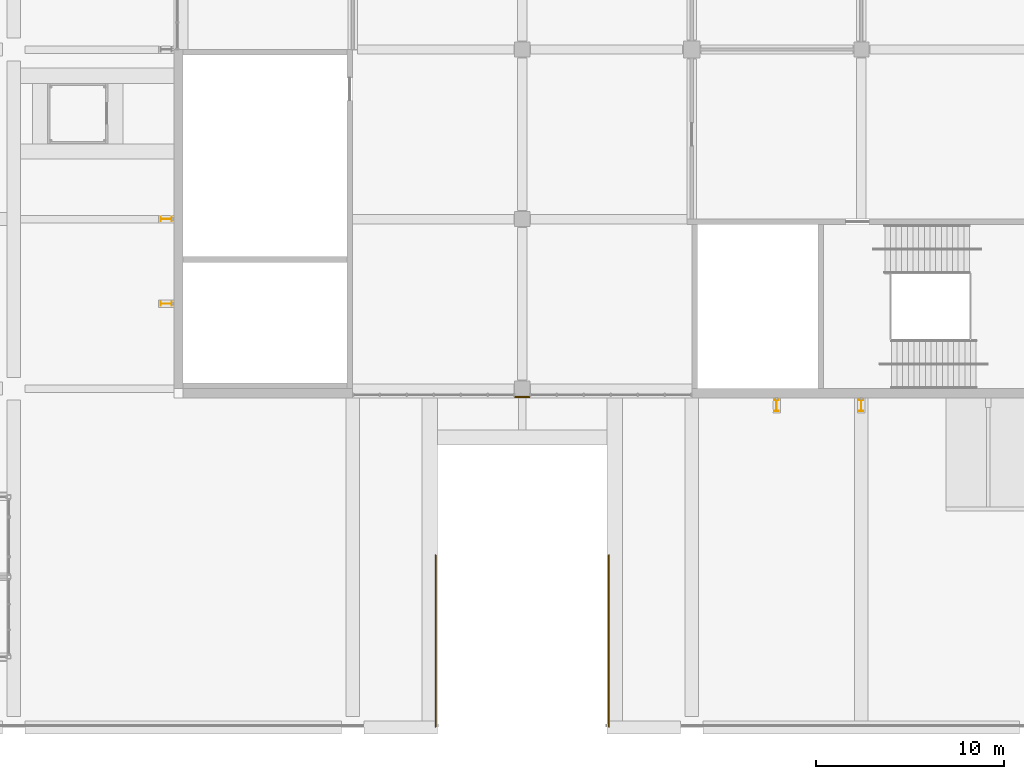
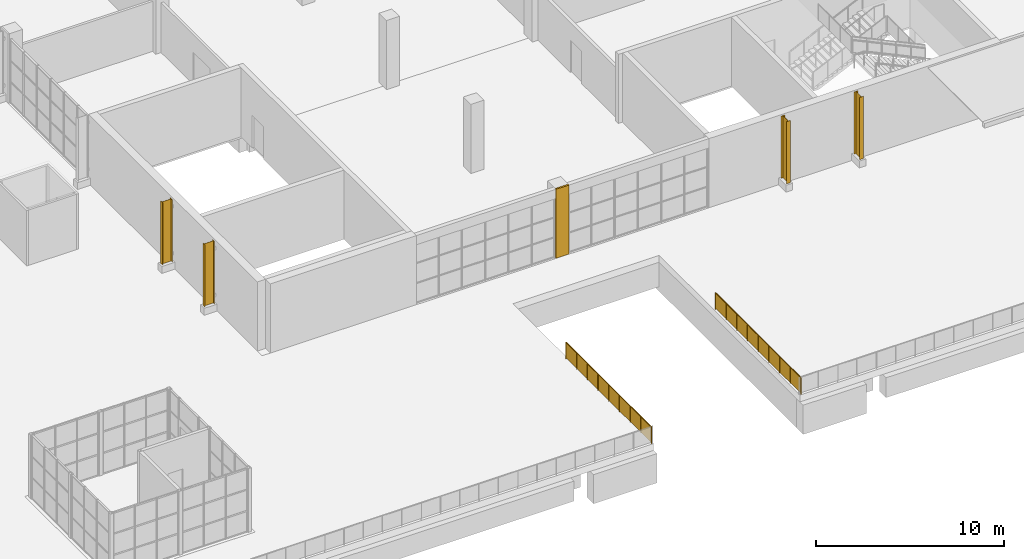
# One storey, part 139 of 168: 4 shading devices, 2 railings, 1 covering.
"""IFC4 building model written with IfcOpenShell, lengths in metres."""

from ifc_helpers import new_model, si_unit, direction, frame, origin, origin_2d, place, context, subcontext, project, spatial, polyline, circle, i_section, outline, extrude, material, layer, layer_set, material_profile, profile_set, type_object, element, save


model = new_model("IFC4")

# Units and contexts
model_context = context("Model", 3, precision=1e-05, world=origin(), true_north=direction((0.0, 1.0)))
body_context = subcontext(model_context, "Body", "Model", "MODEL_VIEW")
ifc_project = project(units=[si_unit("LENGTHUNIT", "METRE"), si_unit("AREAUNIT", "SQUARE_METRE"), si_unit("VOLUMEUNIT", "CUBIC_METRE"), si_unit("PLANEANGLEUNIT", "RADIAN"), si_unit("MASSUNIT", "GRAM", prefix="KILO")], contexts=[model_context])

# Site, building, storey
site_placement = place(None, origin())
site = spatial("IfcSite", under=ifc_project, at=site_placement, CompositionType="ELEMENT")
building_placement = place(site_placement, origin())
building = spatial("IfcBuilding", under=site, at=building_placement, Name="Silverbay Arena", CompositionType="ELEMENT")
storey_placement = place(building_placement, frame((0.0, 0.0, 7.0)))
storey = spatial("IfcBuildingStorey", under=building, at=storey_placement, Name="L01", CompositionType="ELEMENT", Elevation=7.0)

# Covering
ifc_material_1 = material(Name="Aluminium composite cladding", Category="aluminium")
ifc_layer = layer(ifc_material_1, 0.10009765625)
ifc_layer_set = layer_set([ifc_layer], Name="Aluminium composite cladding")
covering_type = type_object("IfcCoveringType", Name="Column cladding 100", PredefinedType="CLADDING", material=ifc_layer_set)
covering_placement = place(storey_placement, origin())
element("IfcCovering", 1, at=covering_placement, inside=storey, type_object=covering_type, Name="South column cladding L01 46", PredefinedType="CLADDING", context=body_context, shape_type="SweptSolid", body=[
    extrude(outline(polyline([(44.60009765625, 17.5), (45.39990234375, 17.5), (45.39990234375, 17.60009765625), (44.60009765625, 17.60009765625), (44.60009765625, 17.5)])), origin(), (0.0, 0.0, 1.0), 4.5),
])

# Railings
ifc_material_2 = material(Name="Stainless steel", Category="steel")
railing_type = type_object("IfcRailingType", Name="Stair guard 1100", PredefinedType="GUARDRAIL", material=ifc_material_2)
railing_1_placement = place(storey_placement, frame((40.39990234375, 0.050048828125, 0.0)))
element("IfcRailing", 2, at=railing_1_placement, inside=storey, type_object=railing_type, Name="Deck stair DS3 well edge guard left", PredefinedType="GUARDRAIL", context=body_context, shape_type="SweptSolid", body=[
    extrude(circle(Radius=0.02392578125, at=origin_2d()), frame((0.0, 0.0, 1.076171875), z_axis=(0.0, 1.0, 0.0), x_axis=(-1.0, 0.0, 0.0)), (0.0, 0.0, 1.0), 9.112060546875),
    extrude(outline(polyline([(-0.008056640625, 0.050048828125), (1.14697265625, 0.050048828125), (1.14697265625, 1.052978515625), (-0.008056640625, 1.052978515625), (-0.008056640625, 0.050048828125)])), frame((-0.0029296875, 0.0, 0.0), z_axis=(1.0, 0.0, 0.0), x_axis=(0.0, 1.0, 0.0)), (0.0, 0.0, 1.0), 0.006103515625),
    extrude(outline(polyline([(-0.008056640625, 0.050048828125), (1.14697265625, 0.050048828125), (1.14697265625, 1.052978515625), (-0.008056640625, 1.052978515625), (-0.008056640625, 0.050048828125)])), frame((-0.0029296875, 1.138916015625, 0.0), z_axis=(1.0, 0.0, 0.0), x_axis=(0.0, 1.0, 0.0)), (0.0, 0.0, 1.0), 0.006103515625),
    extrude(outline(polyline([(-0.008056640625, 0.050048828125), (1.14697265625, 0.050048828125), (1.14697265625, 1.052978515625), (-0.008056640625, 1.052978515625), (-0.008056640625, 0.050048828125)])), frame((-0.0029296875, 2.278076171875, 0.0), z_axis=(1.0, 0.0, 0.0), x_axis=(0.0, 1.0, 0.0)), (0.0, 0.0, 1.0), 0.006103515625),
    extrude(outline(polyline([(-0.008056640625, 0.050048828125), (1.14697265625, 0.050048828125), (1.14697265625, 1.052978515625), (-0.008056640625, 1.052978515625), (-0.008056640625, 0.050048828125)])), frame((-0.0029296875, 3.4169921875, 0.0), z_axis=(1.0, 0.0, 0.0), x_axis=(0.0, 1.0, 0.0)), (0.0, 0.0, 1.0), 0.006103515625),
    extrude(outline(polyline([(-0.008056640625, 0.050048828125), (1.14697265625, 0.050048828125), (1.14697265625, 1.052978515625), (-0.008056640625, 1.052978515625), (-0.008056640625, 0.050048828125)])), frame((-0.0029296875, 4.55615234375, 0.0), z_axis=(1.0, 0.0, 0.0), x_axis=(0.0, 1.0, 0.0)), (0.0, 0.0, 1.0), 0.006103515625),
    extrude(outline(polyline([(-0.008056640625, 0.050048828125), (1.14697265625, 0.050048828125), (1.14697265625, 1.052978515625), (-0.008056640625, 1.052978515625), (-0.008056640625, 0.050048828125)])), frame((-0.0029296875, 5.695068359375, 0.0), z_axis=(1.0, 0.0, 0.0), x_axis=(0.0, 1.0, 0.0)), (0.0, 0.0, 1.0), 0.006103515625),
    extrude(outline(polyline([(-0.008056640625, 0.050048828125), (1.14697265625, 0.050048828125), (1.14697265625, 1.052978515625), (-0.008056640625, 1.052978515625), (-0.008056640625, 0.050048828125)])), frame((-0.0029296875, 6.833984375, 0.0), z_axis=(1.0, 0.0, 0.0), x_axis=(0.0, 1.0, 0.0)), (0.0, 0.0, 1.0), 0.006103515625),
    extrude(outline(polyline([(-0.008056640625, 0.050048828125), (1.14697265625, 0.050048828125), (1.14697265625, 1.052978515625), (-0.008056640625, 1.052978515625), (-0.008056640625, 0.050048828125)])), frame((-0.0029296875, 7.97314453125, 0.0), z_axis=(1.0, 0.0, 0.0), x_axis=(0.0, 1.0, 0.0)), (0.0, 0.0, 1.0), 0.006103515625),
    extrude(circle(Radius=0.02099609375, at=origin_2d()), origin(), (0.0, 0.0, 1.0), 1.052001953125),
    extrude(circle(Radius=0.02099609375, at=origin_2d()), frame((0.0, 1.138916015625, 0.0)), (0.0, 0.0, 1.0), 1.052001953125),
    extrude(circle(Radius=0.02099609375, at=origin_2d()), frame((0.0, 2.278076171875, 0.0)), (0.0, 0.0, 1.0), 1.052001953125),
    extrude(circle(Radius=0.02099609375, at=origin_2d()), frame((0.0, 3.4169921875, 0.0)), (0.0, 0.0, 1.0), 1.052001953125),
    extrude(circle(Radius=0.02099609375, at=origin_2d()), frame((0.0, 4.55615234375, 0.0)), (0.0, 0.0, 1.0), 1.052001953125),
    extrude(circle(Radius=0.02099609375, at=origin_2d()), frame((0.0, 5.695068359375, 0.0)), (0.0, 0.0, 1.0), 1.052001953125),
    extrude(circle(Radius=0.02099609375, at=origin_2d()), frame((0.0, 6.833984375, 0.0)), (0.0, 0.0, 1.0), 1.052001953125),
    extrude(circle(Radius=0.02099609375, at=origin_2d()), frame((0.0, 7.97314453125, 0.0)), (0.0, 0.0, 1.0), 1.052001953125),
    extrude(circle(Radius=0.02099609375, at=origin_2d()), frame((0.0, 9.112060546875, 0.0)), (0.0, 0.0, 1.0), 1.052001953125),
])
railing_2_placement = place(storey_placement, frame((49.60009765625, 0.050048828125, 0.0)))
element("IfcRailing", 3, at=railing_2_placement, inside=storey, type_object=railing_type, Name="Deck stair DS3 well edge guard right", PredefinedType="GUARDRAIL", context=body_context, shape_type="SweptSolid", body=[
    extrude(circle(Radius=0.02392578125, at=origin_2d()), frame((0.0, 0.0, 1.076171875), z_axis=(0.0, 1.0, 0.0), x_axis=(-1.0, 0.0, 0.0)), (0.0, 0.0, 1.0), 9.112060546875),
    extrude(outline(polyline([(-0.008056640625, 0.050048828125), (1.14697265625, 0.050048828125), (1.14697265625, 1.052978515625), (-0.008056640625, 1.052978515625), (-0.008056640625, 0.050048828125)])), frame((-0.0029296875, 0.0, 0.0), z_axis=(1.0, 0.0, 0.0), x_axis=(0.0, 1.0, 0.0)), (0.0, 0.0, 1.0), 0.006103515625),
    extrude(outline(polyline([(-0.008056640625, 0.050048828125), (1.14697265625, 0.050048828125), (1.14697265625, 1.052978515625), (-0.008056640625, 1.052978515625), (-0.008056640625, 0.050048828125)])), frame((-0.0029296875, 1.138916015625, 0.0), z_axis=(1.0, 0.0, 0.0), x_axis=(0.0, 1.0, 0.0)), (0.0, 0.0, 1.0), 0.006103515625),
    extrude(outline(polyline([(-0.008056640625, 0.050048828125), (1.14697265625, 0.050048828125), (1.14697265625, 1.052978515625), (-0.008056640625, 1.052978515625), (-0.008056640625, 0.050048828125)])), frame((-0.0029296875, 2.278076171875, 0.0), z_axis=(1.0, 0.0, 0.0), x_axis=(0.0, 1.0, 0.0)), (0.0, 0.0, 1.0), 0.006103515625),
    extrude(outline(polyline([(-0.008056640625, 0.050048828125), (1.14697265625, 0.050048828125), (1.14697265625, 1.052978515625), (-0.008056640625, 1.052978515625), (-0.008056640625, 0.050048828125)])), frame((-0.0029296875, 3.4169921875, 0.0), z_axis=(1.0, 0.0, 0.0), x_axis=(0.0, 1.0, 0.0)), (0.0, 0.0, 1.0), 0.006103515625),
    extrude(outline(polyline([(-0.008056640625, 0.050048828125), (1.14697265625, 0.050048828125), (1.14697265625, 1.052978515625), (-0.008056640625, 1.052978515625), (-0.008056640625, 0.050048828125)])), frame((-0.0029296875, 4.55615234375, 0.0), z_axis=(1.0, 0.0, 0.0), x_axis=(0.0, 1.0, 0.0)), (0.0, 0.0, 1.0), 0.006103515625),
    extrude(outline(polyline([(-0.008056640625, 0.050048828125), (1.14697265625, 0.050048828125), (1.14697265625, 1.052978515625), (-0.008056640625, 1.052978515625), (-0.008056640625, 0.050048828125)])), frame((-0.0029296875, 5.695068359375, 0.0), z_axis=(1.0, 0.0, 0.0), x_axis=(0.0, 1.0, 0.0)), (0.0, 0.0, 1.0), 0.006103515625),
    extrude(outline(polyline([(-0.008056640625, 0.050048828125), (1.14697265625, 0.050048828125), (1.14697265625, 1.052978515625), (-0.008056640625, 1.052978515625), (-0.008056640625, 0.050048828125)])), frame((-0.0029296875, 6.833984375, 0.0), z_axis=(1.0, 0.0, 0.0), x_axis=(0.0, 1.0, 0.0)), (0.0, 0.0, 1.0), 0.006103515625),
    extrude(outline(polyline([(-0.008056640625, 0.050048828125), (1.14697265625, 0.050048828125), (1.14697265625, 1.052978515625), (-0.008056640625, 1.052978515625), (-0.008056640625, 0.050048828125)])), frame((-0.0029296875, 7.97314453125, 0.0), z_axis=(1.0, 0.0, 0.0), x_axis=(0.0, 1.0, 0.0)), (0.0, 0.0, 1.0), 0.006103515625),
    extrude(circle(Radius=0.02099609375, at=origin_2d()), origin(), (0.0, 0.0, 1.0), 1.052001953125),
    extrude(circle(Radius=0.02099609375, at=origin_2d()), frame((0.0, 1.138916015625, 0.0)), (0.0, 0.0, 1.0), 1.052001953125),
    extrude(circle(Radius=0.02099609375, at=origin_2d()), frame((0.0, 2.278076171875, 0.0)), (0.0, 0.0, 1.0), 1.052001953125),
    extrude(circle(Radius=0.02099609375, at=origin_2d()), frame((0.0, 3.4169921875, 0.0)), (0.0, 0.0, 1.0), 1.052001953125),
    extrude(circle(Radius=0.02099609375, at=origin_2d()), frame((0.0, 4.55615234375, 0.0)), (0.0, 0.0, 1.0), 1.052001953125),
    extrude(circle(Radius=0.02099609375, at=origin_2d()), frame((0.0, 5.695068359375, 0.0)), (0.0, 0.0, 1.0), 1.052001953125),
    extrude(circle(Radius=0.02099609375, at=origin_2d()), frame((0.0, 6.833984375, 0.0)), (0.0, 0.0, 1.0), 1.052001953125),
    extrude(circle(Radius=0.02099609375, at=origin_2d()), frame((0.0, 7.97314453125, 0.0)), (0.0, 0.0, 1.0), 1.052001953125),
    extrude(circle(Radius=0.02099609375, at=origin_2d()), frame((0.0, 9.112060546875, 0.0)), (0.0, 0.0, 1.0), 1.052001953125),
])

# Shading devices
ifc_material_3 = material(Name="Steel S355", Category="steel")
ifc_material_profile = material_profile(ifc_material_3, i_section(OverallWidth=0.2275390625, OverallDepth=0.6025390625, WebThickness=0.010498046875, FlangeThickness=0.014892578125, at=origin_2d()), Name="UB 610x229x101")
ifc_profile_set = profile_set([ifc_material_profile], Name="Steel S355")
shading_device_type = type_object("IfcShadingDeviceType", Name="Steel fin UB 610x229x101", PredefinedType="USERDEFINED", material=ifc_profile_set)
for number, where, z_axis, x_axis, name in (
    (4, (58.5, 17.0986328125, 0.449951171875), (0.0, 0.0, 1.0), (1.0, 0.0, 0.0), "Steel fin S L01 1"),
    (5, (63.0, 17.0986328125, 0.449951171875), (0.0, 0.0, 1.0), (1.0, 0.0, 0.0), "Steel fin S L01 2"),
    (6, (26.0986328125, 22.5, 0.449951171875), (0.0, 0.0, 1.0), (0.0, 1.0, 0.0), "Steel fin W L01 1"),
    (7, (26.0986328125, 27.0, 0.449951171875), (0.0, 0.0, 1.0), (0.0, 1.0, 0.0), "Steel fin W L01 2"),
):
    element("IfcShadingDevice", number, at=place(storey_placement, frame(where, z_axis=z_axis, x_axis=x_axis)), inside=storey, type_object=shading_device_type, Name=name, ObjectType="FIN", PredefinedType="USERDEFINED", context=body_context, shape_type="SweptSolid", body=[
        extrude(i_section(OverallWidth=0.2275390625, OverallDepth=0.6025390625, WebThickness=0.010498046875, FlangeThickness=0.014892578125, at=origin_2d()), origin(), (0.0, 0.0, 1.0), 4.050048828125),
    ])

save(model, "model.ifc")
